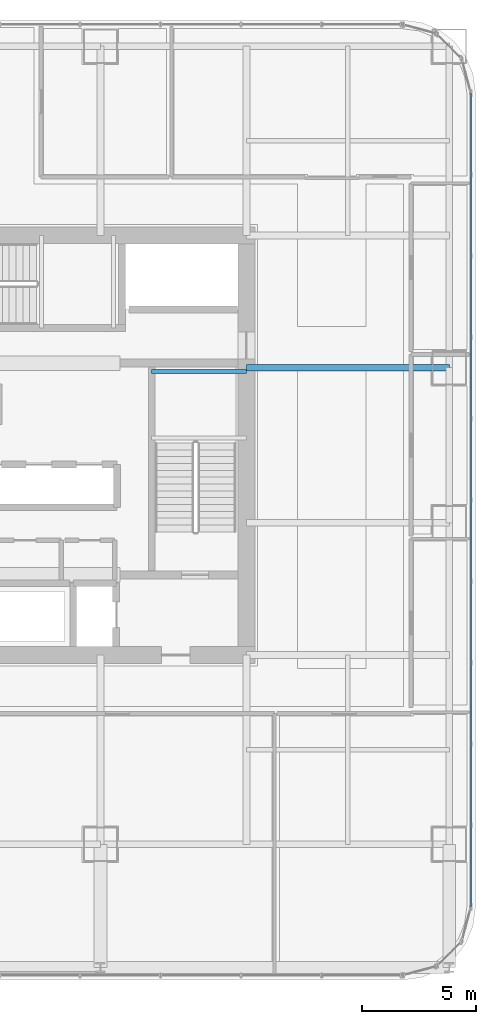
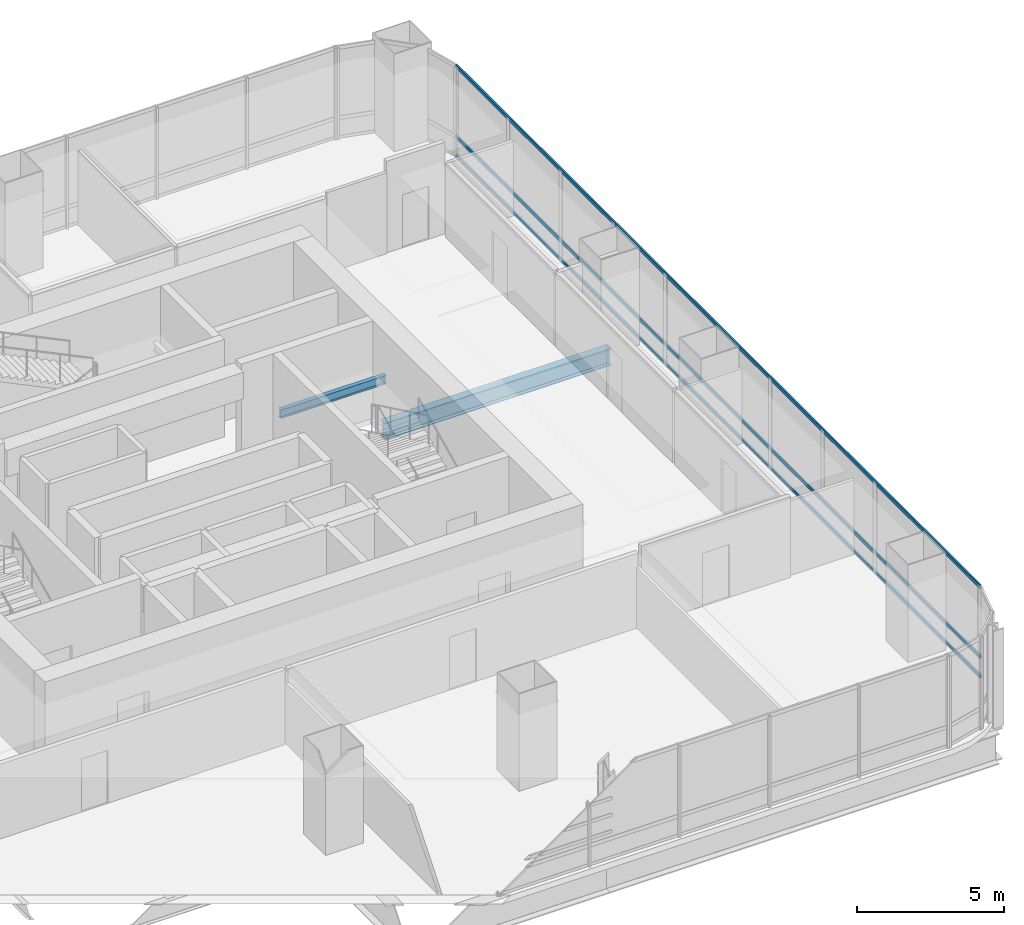
# One storey, part 16 of 36: 3 members, 2 beams, 1 element without a shape of its own.
"""IFC4 building model written with IfcOpenShell, lengths in metres."""

from ifc_helpers import new_model, si_unit, direction, frame, origin, origin_2d, place, context, subcontext, project, spatial, hollow_rectangle, i_section, extrude, material, material_profile, profile_set, type_object, element, aggregate, save


model = new_model("IFC4")

# Units and contexts
model_context = context("Model", 3, precision=1e-05, world=origin(), true_north=direction((0.0, 1.0)))
body_context = subcontext(model_context, "Body", "Model", "MODEL_VIEW")
ifc_project = project(units=[si_unit("LENGTHUNIT", "METRE"), si_unit("AREAUNIT", "SQUARE_METRE"), si_unit("VOLUMEUNIT", "CUBIC_METRE"), si_unit("PLANEANGLEUNIT", "RADIAN"), si_unit("MASSUNIT", "GRAM", prefix="KILO")], contexts=[model_context])

# Site, building, storey
site_placement = place(None, origin())
site = spatial("IfcSite", under=ifc_project, at=site_placement, CompositionType="ELEMENT")
building_placement = place(site_placement, origin())
building = spatial("IfcBuilding", under=site, at=building_placement, Name="Punatoya Terracotta Tower", CompositionType="ELEMENT")
storey_placement = place(building_placement, frame((0.0, 0.0, 36.300048828125)))
storey = spatial("IfcBuildingStorey", under=building, at=storey_placement, Name="L07", CompositionType="ELEMENT", Elevation=36.300048828125)

# Beams
ifc_material_1 = material(Name="Steel S355", Category="steel")
ifc_material_profile_1 = material_profile(ifc_material_1, i_section(OverallWidth=0.300048828125, OverallDepth=0.699951171875, WebThickness=0.01708984375, FlangeThickness=0.031982421875, FilletRadius=0.01806640625, at=origin_2d()))
ifc_profile_set_1 = profile_set([ifc_material_profile_1], Name="Steel S355")
beam_type_1 = type_object("IfcBeamType", Name="BM-PRI-700", PredefinedType="BEAM", material=ifc_profile_set_1)
beam_1_placement = place(storey_placement, frame((10.199951171875, 3.39990234375, -0.590087890625), z_axis=(1.0, 0.0, 0.0), x_axis=(0.0, 1.0, 0.0)))
element("IfcBeam", 1, at=beam_1_placement, inside=storey, type_object=beam_type_1, Name="BM-L07-PR-EE", PredefinedType="BEAM", context=body_context, shape_type="SweptSolid", body=[
    extrude(i_section(OverallWidth=0.300048828125, OverallDepth=0.699951171875, WebThickness=0.01708984375, FlangeThickness=0.031982421875, FilletRadius=0.01806640625, at=origin_2d()), origin(), (0.0, 0.0, 1.0), 8.900146484375),
])
ifc_material_profile_2 = material_profile(ifc_material_1, i_section(OverallWidth=0.169921875, OverallDepth=0.360107421875, WebThickness=0.008056640625, FlangeThickness=0.0126953125, FilletRadius=0.01806640625, at=origin_2d()))
ifc_profile_set_2 = profile_set([ifc_material_profile_2], Name="Steel S355")
beam_type_2 = type_object("IfcBeamType", Name="BM-SEC-360", PredefinedType="JOIST", material=ifc_profile_set_2)
beam_2_placement = place(storey_placement, frame((6.050048828125, 3.22998046875, 1.64501953125), z_axis=(1.0, 0.0, 0.0), x_axis=(0.0, 1.0, 0.0)))
element("IfcBeam", 2, at=beam_2_placement, inside=storey, type_object=beam_type_2, Name="BM-L07-ST-2-LD1B", PredefinedType="JOIST", context=body_context, shape_type="SweptSolid", body=[
    extrude(i_section(OverallWidth=0.169921875, OverallDepth=0.360107421875, WebThickness=0.008056640625, FlangeThickness=0.0126953125, FilletRadius=0.01806640625, at=origin_2d()), origin(), (0.0, 0.0, 1.0), 4.14990234375),
])

# Curtain wall, members
ifc_material_2 = material(Name="Aluminium 6063-T6 + Double Low-E Glass", Category="aluminium")
curtain_wall_type = type_object("IfcCurtainWallType", Name="CW-M1", PredefinedType="NOTDEFINED", material=ifc_material_2)
curtain_wall_placement = place(storey_placement, origin())
curtain_wall = element("IfcCurtainWall", 3, at=curtain_wall_placement, inside=storey, type_object=curtain_wall_type, Name="L07 Curtain Wall CW-L07-E05-1", PredefinedType="NOTDEFINED")
ifc_material_3 = material(Name="Aluminium 6063-T6", Category="aluminium")
ifc_material_profile_3 = material_profile(ifc_material_3, hollow_rectangle(XDim=0.068115234375, YDim=0.14990234375, WallThickness=0.00390625, at=origin_2d()))
ifc_profile_set_3 = profile_set([ifc_material_profile_3], Name="Aluminium 6063-T6")
member_type = type_object("IfcMemberType", Name="CW-TRN-TYP", PredefinedType="USERDEFINED", material=ifc_profile_set_3)
member_1_placement = place(storey_placement, frame((20.050048828125, -20.23681640625, 0.0400390625), z_axis=(0.0, 1.0, 0.0), x_axis=(-1.0, 0.0, 0.0)))
member_1 = element("IfcMember", 4, at=member_1_placement, type_object=member_type, Name="CW-L07-E05-1 Transom 1", ObjectType="TRANSOM", PredefinedType="USERDEFINED", context=body_context, shape_type="SweptSolid", body=[
    extrude(hollow_rectangle(XDim=0.068115234375, YDim=0.14990234375, WallThickness=0.00390625, at=origin_2d()), origin(), (0.0, 0.0, 1.0), 35.673828125),
])
member_2_placement = place(storey_placement, frame((20.050048828125, -20.23681640625, 0.849853515625), z_axis=(0.0, 1.0, 0.0), x_axis=(-1.0, 0.0, 0.0)))
member_2 = element("IfcMember", 5, at=member_2_placement, type_object=member_type, Name="CW-L07-E05-1 Transom 2", ObjectType="TRANSOM", PredefinedType="USERDEFINED", context=body_context, shape_type="SweptSolid", body=[
    extrude(hollow_rectangle(XDim=0.068115234375, YDim=0.14990234375, WallThickness=0.00390625, at=origin_2d()), origin(), (0.0, 0.0, 1.0), 35.673828125),
])
member_3_placement = place(storey_placement, frame((20.050048828125, -20.23681640625, 3.77001953125), z_axis=(0.0, 1.0, 0.0), x_axis=(-1.0, 0.0, 0.0)))
member_3 = element("IfcMember", 6, at=member_3_placement, type_object=member_type, Name="CW-L07-E05-1 Transom 3", ObjectType="TRANSOM", PredefinedType="USERDEFINED", context=body_context, shape_type="SweptSolid", body=[
    extrude(hollow_rectangle(XDim=0.068115234375, YDim=0.14990234375, WallThickness=0.00390625, at=origin_2d()), origin(), (0.0, 0.0, 1.0), 35.673828125),
])
aggregate(curtain_wall, [member_1, member_2, member_3])

save(model, "model.ifc")
